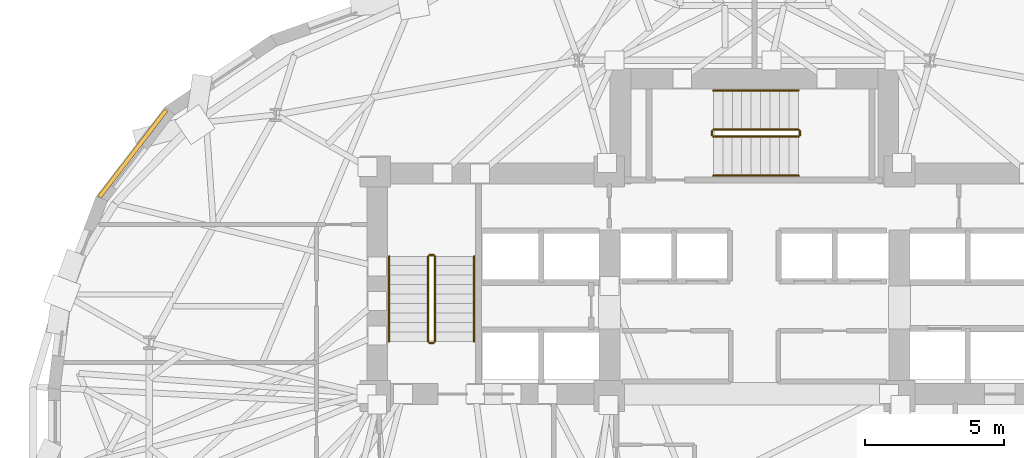
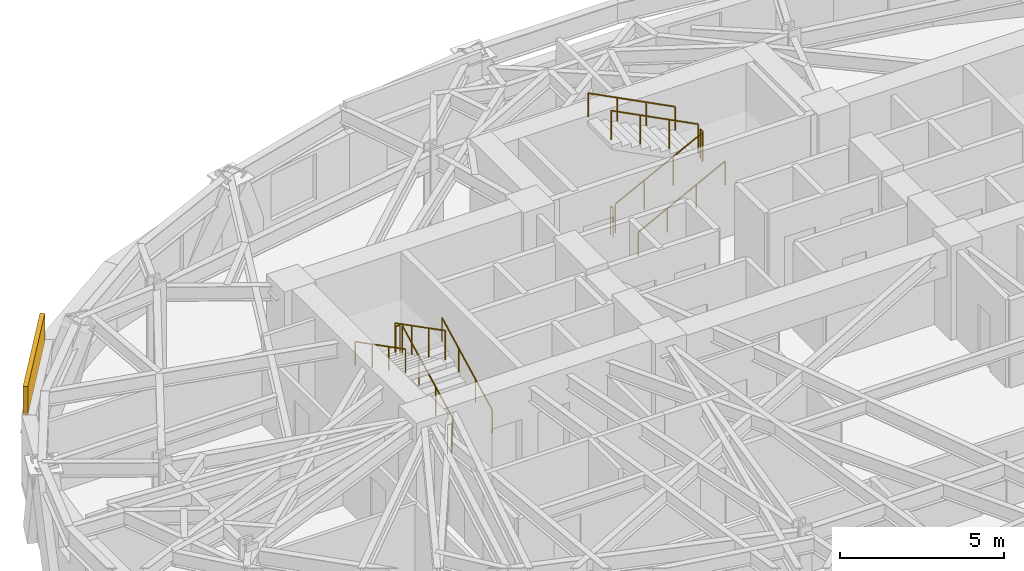
# One storey, part 11 of 13: 12 railings, 1 covering.
"""IFC4 building model written with IfcOpenShell, lengths in metres."""

from ifc_helpers import new_model, si_unit, direction, frame, origin, origin_2d, place, context, subcontext, project, spatial, rectangle, circle, extrude, material, layer, layer_set, type_object, element, save


model = new_model("IFC4")

# Units and contexts
model_context = context("Model", 3, precision=1e-05, world=origin(), true_north=direction((0.0, 1.0)))
body_context = subcontext(model_context, "Body", "Model", "MODEL_VIEW")
ifc_project = project(units=[si_unit("LENGTHUNIT", "METRE"), si_unit("AREAUNIT", "SQUARE_METRE"), si_unit("VOLUMEUNIT", "CUBIC_METRE"), si_unit("PLANEANGLEUNIT", "RADIAN"), si_unit("MASSUNIT", "GRAM", prefix="KILO")], contexts=[model_context])

# Site, building, storey
site_placement = place(None, origin())
site = spatial("IfcSite", under=ifc_project, at=site_placement, CompositionType="ELEMENT")
building_placement = place(site_placement, origin())
building = spatial("IfcBuilding", under=site, at=building_placement, Name="Keldmark Tower", CompositionType="ELEMENT")
storey_placement = place(building_placement, frame((0.0, 0.0, 131.60009765625)))
storey = spatial("IfcBuildingStorey", under=building, at=storey_placement, Name="L35", CompositionType="ELEMENT", Elevation=131.60009765625)

# Covering
ifc_material_1 = material(Name="Honed Kasota Buff Dolomitic Limestone", Category="masonry")
ifc_layer = layer(ifc_material_1, 0.074951171875)
ifc_layer_set = layer_set([ifc_layer], Name="Honed Kasota Buff Dolomitic Limestone")
covering_type = type_object("IfcCoveringType", Name="Kasota Buff Limestone Spandrel Cladding Band", PredefinedType="CLADDING", material=ifc_layer_set)
covering_placement = place(storey_placement, frame((-22.287841796875, 10.093017578125, 2.40185546875), z_axis=(0.0, 0.0, 1.0), x_axis=(-0.609716404666, -0.792619647675, 0.0)))
element("IfcCovering", 1, at=covering_placement, inside=storey, type_object=covering_type, Name="L35 Kasota Limestone Spandrel Band 13", PredefinedType="CLADDING", context=body_context, shape_type="SweptSolid", body=[
    extrude(rectangle(XDim=3.927001953125, YDim=0.14990234375, at=origin_2d()), origin(), (0.0, 0.0, 1.0), 1.077880859375),
])

# Railings
ifc_material_2 = material(Name="Painted Steel ASTM A500 Grade B", Category="steel")
railing_type_1 = type_object("IfcRailingType", Name="Painted Steel Stair Well Guard 1100 mm", PredefinedType="GUARDRAIL", material=ifc_material_2)
railing_1_placement = place(storey_placement, frame((-11.449951171875, 3.35009765625, 0.1748046875)))
element("IfcRailing", 2, at=railing_1_placement, inside=storey, type_object=railing_type_1, Name="L35 ST1 stair guard 1", PredefinedType="GUARDRAIL", context=body_context, shape_type="SweptSolid", body=[
    extrude(circle(Radius=0.02392578125, at=origin_2d()), frame((0.0, 0.0, 1.076171875), z_axis=(0.0, 0.889101422983, 0.457710235465), x_axis=(-1.0, 0.0, 0.0)), (0.0, 0.0, 1.0), 3.44140625),
    extrude(circle(Radius=0.02099609375, at=origin_2d()), origin(), (0.0, 0.0, 1.0), 1.052001953125),
    extrude(circle(Radius=0.02099609375, at=origin_2d()), frame((0.0, 1.02001953125, 0.525146484375)), (0.0, 0.0, 1.0), 1.052001953125),
    extrude(circle(Radius=0.02099609375, at=origin_2d()), frame((0.0, 2.039794921875, 1.050048828125)), (0.0, 0.0, 1.0), 1.052001953125),
    extrude(circle(Radius=0.02099609375, at=origin_2d()), frame((0.0, 3.059814453125, 1.5751953125)), (0.0, 0.0, 1.0), 1.052001953125),
])
railing_2_placement = place(storey_placement, frame((-11.5, 6.4599609375, 1.75)))
element("IfcRailing", 3, at=railing_2_placement, inside=storey, type_object=railing_type_1, Name="L35 ST1 stair guard 2", PredefinedType="GUARDRAIL", context=body_context, shape_type="SweptSolid", body=[
    extrude(circle(Radius=0.02392578125, at=origin_2d()), frame((0.0, 0.0, 1.076171875), z_axis=(-1.0, 0.0, 0.0), x_axis=(0.0, -1.0, 0.0)), (0.0, 0.0, 1.0), 0.14990234375),
    extrude(circle(Radius=0.02099609375, at=origin_2d()), origin(), (0.0, 0.0, 1.0), 1.052001953125),
    extrude(circle(Radius=0.02099609375, at=origin_2d()), frame((-0.14990234375, 0.0, 0.0)), (0.0, 0.0, 1.0), 1.052001953125),
])
railing_3_placement = place(storey_placement, frame((-11.699951171875, 6.409912109375, 1.9248046875)))
element("IfcRailing", 4, at=railing_3_placement, inside=storey, type_object=railing_type_1, Name="L35 ST1 stair guard 3", PredefinedType="GUARDRAIL", context=body_context, shape_type="SweptSolid", body=[
    extrude(circle(Radius=0.02392578125, at=origin_2d()), frame((0.0, 0.0, 1.076171875), z_axis=(0.0, -0.889101422983, 0.457710235465), x_axis=(1.0, 0.0, 0.0)), (0.0, 0.0, 1.0), 3.44140625),
    extrude(circle(Radius=0.02099609375, at=origin_2d()), origin(), (0.0, 0.0, 1.0), 1.052001953125),
    extrude(circle(Radius=0.02099609375, at=origin_2d()), frame((0.0, -1.02001953125, 0.525146484375)), (0.0, 0.0, 1.0), 1.052001953125),
    extrude(circle(Radius=0.02099609375, at=origin_2d()), frame((0.0, -2.039794921875, 1.050048828125)), (0.0, 0.0, 1.0), 1.052001953125),
    extrude(circle(Radius=0.02099609375, at=origin_2d()), frame((0.0, -3.059814453125, 1.5751953125)), (0.0, 0.0, 1.0), 1.052001953125),
])
railing_4_placement = place(storey_placement, frame((-11.5, 3.300048828125, 0.0)))
element("IfcRailing", 5, at=railing_4_placement, inside=storey, type_object=railing_type_1, Name="L35 ST1 stair guard 4", PredefinedType="GUARDRAIL", context=body_context, shape_type="SweptSolid", body=[
    extrude(circle(Radius=0.02392578125, at=origin_2d()), frame((0.0, 0.0, 1.076171875), z_axis=(-1.0, 0.0, 0.0), x_axis=(0.0, -1.0, 0.0)), (0.0, 0.0, 1.0), 0.14990234375),
    extrude(circle(Radius=0.02099609375, at=origin_2d()), origin(), (0.0, 0.0, 1.0), 1.052001953125),
    extrude(circle(Radius=0.02099609375, at=origin_2d()), frame((-0.14990234375, 0.0, 0.0)), (0.0, 0.0, 1.0), 1.052001953125),
])
railing_5_placement = place(storey_placement, frame((-1.47509765625, 10.699951171875, 0.1748046875)))
element("IfcRailing", 6, at=railing_5_placement, inside=storey, type_object=railing_type_1, Name="L35 ST3 stair guard 1", PredefinedType="GUARDRAIL", context=body_context, shape_type="SweptSolid", body=[
    extrude(circle(Radius=0.02392578125, at=origin_2d()), frame((0.0, 0.0, 1.076171875), z_axis=(0.889116283586, 0.0, 0.457681367616), x_axis=(0.0, 1.0, 0.0)), (0.0, 0.0, 1.0), 3.441650390625),
    extrude(circle(Radius=0.02099609375, at=origin_2d()), origin(), (0.0, 0.0, 1.0), 1.052001953125),
    extrude(circle(Radius=0.02099609375, at=origin_2d()), frame((1.02001953125, 0.0, 0.525146484375)), (0.0, 0.0, 1.0), 1.052001953125),
    extrude(circle(Radius=0.02099609375, at=origin_2d()), frame((2.0400390625, 0.0, 1.050048828125)), (0.0, 0.0, 1.0), 1.052001953125),
    extrude(circle(Radius=0.02099609375, at=origin_2d()), frame((3.06005859375, 0.0, 1.5751953125)), (0.0, 0.0, 1.0), 1.052001953125),
])
railing_6_placement = place(storey_placement, frame((1.635009765625, 10.75, 1.75)))
element("IfcRailing", 7, at=railing_6_placement, inside=storey, type_object=railing_type_1, Name="L35 ST3 stair guard 2", PredefinedType="GUARDRAIL", context=body_context, shape_type="SweptSolid", body=[
    extrude(circle(Radius=0.02392578125, at=origin_2d()), frame((0.0, 0.0, 1.076171875), z_axis=(0.0, 1.0, 0.0), x_axis=(-1.0, 0.0, 0.0)), (0.0, 0.0, 1.0), 0.14990234375),
    extrude(circle(Radius=0.02099609375, at=origin_2d()), origin(), (0.0, 0.0, 1.0), 1.052001953125),
    extrude(circle(Radius=0.02099609375, at=origin_2d()), frame((0.0, 0.14990234375, 0.0)), (0.0, 0.0, 1.0), 1.052001953125),
])
railing_7_placement = place(storey_placement, frame((1.5849609375, 10.949951171875, 1.9248046875)))
element("IfcRailing", 8, at=railing_7_placement, inside=storey, type_object=railing_type_1, Name="L35 ST3 stair guard 3", PredefinedType="GUARDRAIL", context=body_context, shape_type="SweptSolid", body=[
    extrude(circle(Radius=0.02392578125, at=origin_2d()), frame((0.0, 0.0, 1.076171875), z_axis=(-0.889116283586, 0.0, 0.457681367616), x_axis=(0.0, -1.0, 0.0)), (0.0, 0.0, 1.0), 3.441650390625),
    extrude(circle(Radius=0.02099609375, at=origin_2d()), origin(), (0.0, 0.0, 1.0), 1.052001953125),
    extrude(circle(Radius=0.02099609375, at=origin_2d()), frame((-1.02001953125, 0.0, 0.525146484375)), (0.0, 0.0, 1.0), 1.052001953125),
    extrude(circle(Radius=0.02099609375, at=origin_2d()), frame((-2.0400390625, 0.0, 1.050048828125)), (0.0, 0.0, 1.0), 1.052001953125),
    extrude(circle(Radius=0.02099609375, at=origin_2d()), frame((-3.06005859375, 0.0, 1.5751953125)), (0.0, 0.0, 1.0), 1.052001953125),
])
railing_8_placement = place(storey_placement, frame((-1.52490234375, 10.75, 0.0)))
element("IfcRailing", 9, at=railing_8_placement, inside=storey, type_object=railing_type_1, Name="L35 ST3 stair guard 4", PredefinedType="GUARDRAIL", context=body_context, shape_type="SweptSolid", body=[
    extrude(circle(Radius=0.02392578125, at=origin_2d()), frame((0.0, 0.0, 1.076171875), z_axis=(0.0, 1.0, 0.0), x_axis=(-1.0, 0.0, 0.0)), (0.0, 0.0, 1.0), 0.14990234375),
    extrude(circle(Radius=0.02099609375, at=origin_2d()), origin(), (0.0, 0.0, 1.0), 1.052001953125),
    extrude(circle(Radius=0.02099609375, at=origin_2d()), frame((0.0, 0.14990234375, 0.0)), (0.0, 0.0, 1.0), 1.052001953125),
])
ifc_material_3 = material(Name="Stainless Steel AISI 316L", Category="steel")
railing_type_2 = type_object("IfcRailingType", Name="Stainless Steel Stair Handrail 900 mm", PredefinedType="HANDRAIL", material=ifc_material_3)
railing_9_placement = place(storey_placement, frame((-10.050048828125, 3.35009765625, 0.1748046875)))
element("IfcRailing", 10, at=railing_9_placement, inside=storey, type_object=railing_type_2, Name="L35 ST1 stair handrail 1", PredefinedType="HANDRAIL", context=body_context, shape_type="SweptSolid", body=[
    extrude(circle(Radius=0.02392578125, at=origin_2d()), frame((0.0, 0.0, 0.8759765625), z_axis=(0.0, 0.889101422983, 0.457710235465), x_axis=(-1.0, 0.0, 0.0)), (0.0, 0.0, 1.0), 3.44140625),
    extrude(circle(Radius=0.02099609375, at=origin_2d()), origin(), (0.0, 0.0, 1.0), 0.851806640625),
    extrude(circle(Radius=0.02099609375, at=origin_2d()), frame((0.0, 1.02001953125, 0.525146484375)), (0.0, 0.0, 1.0), 0.851806640625),
    extrude(circle(Radius=0.02099609375, at=origin_2d()), frame((0.0, 2.039794921875, 1.050048828125)), (0.0, 0.0, 1.0), 0.851806640625),
    extrude(circle(Radius=0.02099609375, at=origin_2d()), frame((0.0, 3.059814453125, 1.5751953125)), (0.0, 0.0, 1.0), 0.851806640625),
])
railing_10_placement = place(storey_placement, frame((-13.10009765625, 6.409912109375, 1.9248046875)))
element("IfcRailing", 11, at=railing_10_placement, inside=storey, type_object=railing_type_2, Name="L35 ST1 stair handrail 2", PredefinedType="HANDRAIL", context=body_context, shape_type="SweptSolid", body=[
    extrude(circle(Radius=0.02392578125, at=origin_2d()), frame((0.0, 0.0, 0.8759765625), z_axis=(0.0, -0.889101422983, 0.457710235465), x_axis=(1.0, 0.0, 0.0)), (0.0, 0.0, 1.0), 3.44140625),
    extrude(circle(Radius=0.02099609375, at=origin_2d()), origin(), (0.0, 0.0, 1.0), 0.851806640625),
    extrude(circle(Radius=0.02099609375, at=origin_2d()), frame((0.0, -1.02001953125, 0.525146484375)), (0.0, 0.0, 1.0), 0.851806640625),
    extrude(circle(Radius=0.02099609375, at=origin_2d()), frame((0.0, -2.039794921875, 1.050048828125)), (0.0, 0.0, 1.0), 0.851806640625),
    extrude(circle(Radius=0.02099609375, at=origin_2d()), frame((0.0, -3.059814453125, 1.5751953125)), (0.0, 0.0, 1.0), 0.851806640625),
])
railing_11_placement = place(storey_placement, frame((-1.47509765625, 9.300048828125, 0.1748046875)))
element("IfcRailing", 12, at=railing_11_placement, inside=storey, type_object=railing_type_2, Name="L35 ST3 stair handrail 1", PredefinedType="HANDRAIL", context=body_context, shape_type="SweptSolid", body=[
    extrude(circle(Radius=0.02392578125, at=origin_2d()), frame((0.0, 0.0, 0.8759765625), z_axis=(0.889116283586, 0.0, 0.457681367616), x_axis=(0.0, 1.0, 0.0)), (0.0, 0.0, 1.0), 3.441650390625),
    extrude(circle(Radius=0.02099609375, at=origin_2d()), origin(), (0.0, 0.0, 1.0), 0.851806640625),
    extrude(circle(Radius=0.02099609375, at=origin_2d()), frame((1.02001953125, 0.0, 0.525146484375)), (0.0, 0.0, 1.0), 0.851806640625),
    extrude(circle(Radius=0.02099609375, at=origin_2d()), frame((2.0400390625, 0.0, 1.050048828125)), (0.0, 0.0, 1.0), 0.851806640625),
    extrude(circle(Radius=0.02099609375, at=origin_2d()), frame((3.06005859375, 0.0, 1.5751953125)), (0.0, 0.0, 1.0), 0.851806640625),
])
railing_12_placement = place(storey_placement, frame((1.5849609375, 12.35009765625, 1.9248046875)))
element("IfcRailing", 13, at=railing_12_placement, inside=storey, type_object=railing_type_2, Name="L35 ST3 stair handrail 2", PredefinedType="HANDRAIL", context=body_context, shape_type="SweptSolid", body=[
    extrude(circle(Radius=0.02392578125, at=origin_2d()), frame((0.0, 0.0, 0.8759765625), z_axis=(-0.889116283586, 0.0, 0.457681367616), x_axis=(0.0, -1.0, 0.0)), (0.0, 0.0, 1.0), 3.441650390625),
    extrude(circle(Radius=0.02099609375, at=origin_2d()), origin(), (0.0, 0.0, 1.0), 0.851806640625),
    extrude(circle(Radius=0.02099609375, at=origin_2d()), frame((-1.02001953125, 0.0, 0.525146484375)), (0.0, 0.0, 1.0), 0.851806640625),
    extrude(circle(Radius=0.02099609375, at=origin_2d()), frame((-2.0400390625, 0.0, 1.050048828125)), (0.0, 0.0, 1.0), 0.851806640625),
    extrude(circle(Radius=0.02099609375, at=origin_2d()), frame((-3.06005859375, 0.0, 1.5751953125)), (0.0, 0.0, 1.0), 0.851806640625),
])

save(model, "model.ifc")
